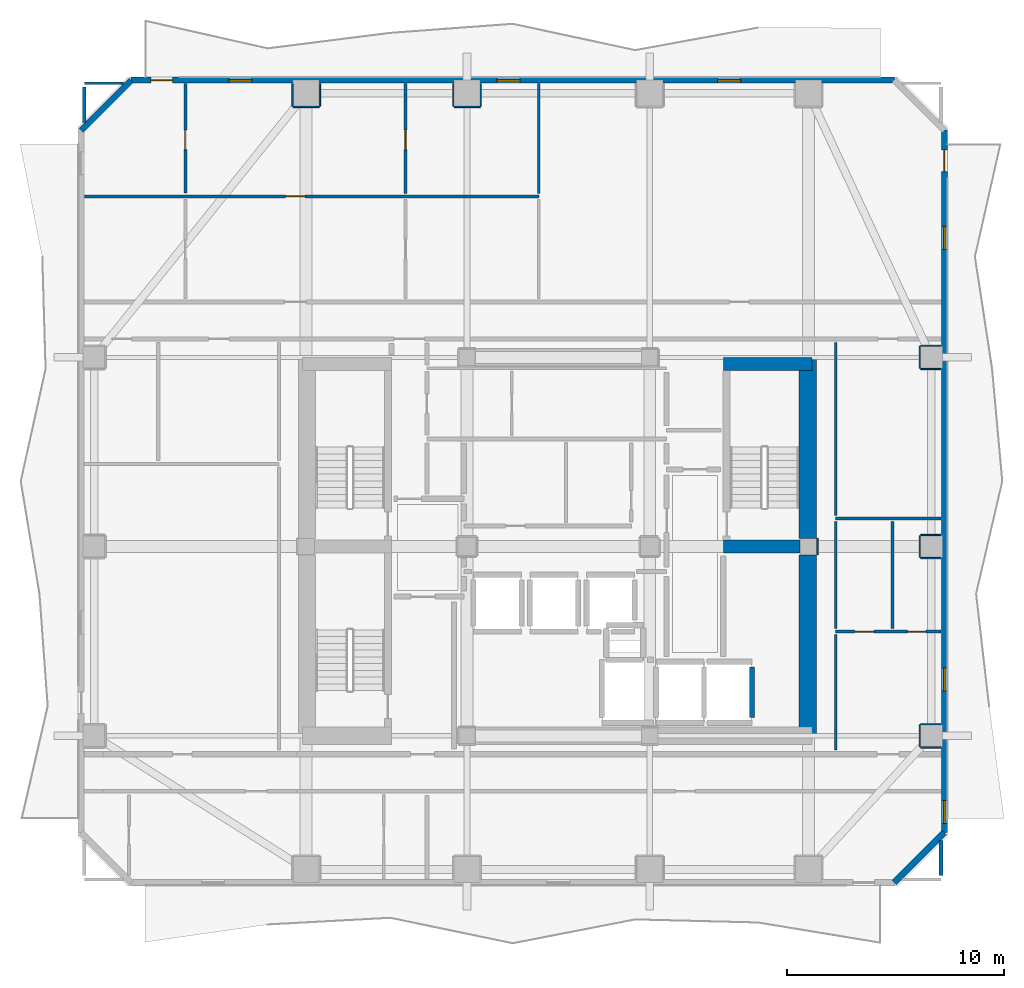
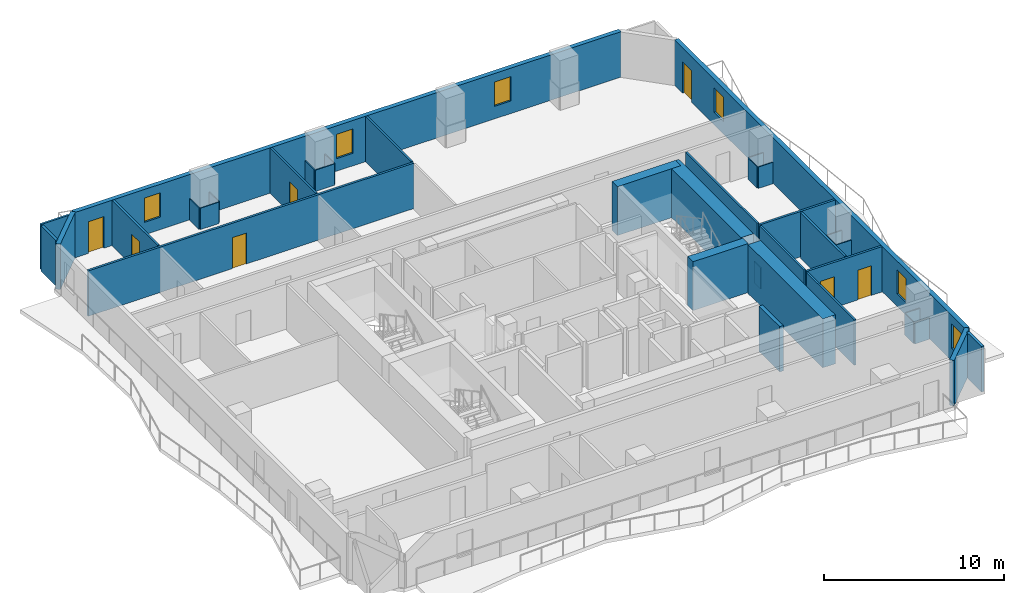
# One storey, part 5 of 10: 38 walls, 7 doors, 6 windows, 13 openings.
"""IFC4 building model written with IfcOpenShell, lengths in metres."""

from ifc_helpers import new_model, si_unit, direction, frame, frame_2d, origin, place, context, subcontext, project, spatial, rectangle, extrude, material, layer, layer_set, type_object, element, fill, save


model = new_model("IFC4")

# Units and contexts
model_context = context("Model", 3, precision=1e-05, world=origin(), true_north=direction((0.0, 1.0)))
body_context = subcontext(model_context, "Body", "Model", "MODEL_VIEW")
ifc_project = project(units=[si_unit("LENGTHUNIT", "METRE"), si_unit("AREAUNIT", "SQUARE_METRE"), si_unit("VOLUMEUNIT", "CUBIC_METRE"), si_unit("PLANEANGLEUNIT", "RADIAN"), si_unit("MASSUNIT", "GRAM", prefix="KILO")], contexts=[model_context])

# Site, building, storey
site_placement = place(None, origin())
site = spatial("IfcSite", under=ifc_project, at=site_placement, CompositionType="ELEMENT")
building_placement = place(site_placement, origin())
building = spatial("IfcBuilding", under=site, at=building_placement, Name="Solanera Arch Residences", CompositionType="ELEMENT")
storey_placement = place(building_placement, frame((0.0, 0.0, 183.52001953125)))
storey = spatial("IfcBuildingStorey", under=building, at=storey_placement, Name="L53", CompositionType="ELEMENT", Elevation=183.52001953125)

# Walls
ifc_material_1 = material(Name="Fire-Rated Gypsum Stud Partition", Category="gypsum")
ifc_layer_1 = layer(ifc_material_1, 0.06005859375)
ifc_layer_set_1 = layer_set([ifc_layer_1], Name="Fire-Rated Gypsum Stud Partition")
wall_type_1 = type_object("IfcWallType", Name="Column Acoustic Furring Wall 60", PredefinedType="PARTITIONING", material=ifc_layer_set_1)
wall_1_placement = place(storey_placement, frame((36.906982421875, 30.324951171875, 0.0), z_axis=(0.0, 0.0, 1.0), x_axis=(0.0, 1.0, 0.0)))
element("IfcWall", 1, at=wall_1_placement, inside=storey, type_object=wall_type_1, Name="L53 Column Furring 6E", PredefinedType="PARTITIONING", context=body_context, shape_type="SweptSolid", body=[
    extrude(rectangle(XDim=0.75, YDim=0.06005859375, at=frame_2d((0.375, 0.0))), origin(), (0.0, 0.0, 1.0), 1.449951171875),
])
wall_2_placement = place(storey_placement, frame((12.800048828125, 50.91796875, 0.0), z_axis=(0.0, 0.0, 1.0), x_axis=(1.0, 0.0, 0.0)))
element("IfcWall", 2, at=wall_2_placement, inside=storey, type_object=wall_type_1, Name="L53 Column Furring 10S", PredefinedType="PARTITIONING", context=body_context, shape_type="SweptSolid", body=[
    extrude(rectangle(XDim=1.199951171875, YDim=0.06005859375, at=frame_2d((0.60009765625, 0.0))), origin(), (0.0, 0.0, 1.0), 1.449951171875),
])
for number, where, z_axis, x_axis, name in (
    (3, (12.76806640625, 50.949951171875, 0.0), (0.0, 0.0, 1.0), (0.0, 1.0, 0.0), "L53 Column Furring 10W"),
    (4, (14.031982421875, 50.949951171875, 0.0), (0.0, 0.0, 1.0), (0.0, 1.0, 0.0), "L53 Column Furring 10E"),
):
    element("IfcWall", number, at=place(storey_placement, frame(where, z_axis=z_axis, x_axis=x_axis)), inside=storey, type_object=wall_type_1, Name=name, PredefinedType="PARTITIONING", context=body_context, shape_type="SweptSolid", body=[
        extrude(rectangle(XDim=1.0400390625, YDim=0.06005859375, at=frame_2d((0.52001953125, 0.0))), origin(), (0.0, 0.0, 1.0), 1.449951171875),
    ])
wall_3_placement = place(storey_placement, frame((20.199951171875, 50.91796875, 0.0), z_axis=(0.0, 0.0, 1.0), x_axis=(1.0, 0.0, 0.0)))
element("IfcWall", 5, at=wall_3_placement, inside=storey, type_object=wall_type_1, Name="L53 Column Furring 12S", PredefinedType="PARTITIONING", context=body_context, shape_type="SweptSolid", body=[
    extrude(rectangle(XDim=1.199951171875, YDim=0.06005859375, at=frame_2d((0.60009765625, 0.0))), origin(), (0.0, 0.0, 1.0), 1.449951171875),
])
for number, where, z_axis, x_axis, name in (
    (6, (20.16796875, 50.949951171875, 0.0), (0.0, 0.0, 1.0), (0.0, 1.0, 0.0), "L53 Column Furring 12W"),
    (7, (21.431884765625, 50.949951171875, 0.0), (0.0, 0.0, 1.0), (0.0, 1.0, 0.0), "L53 Column Furring 12E"),
):
    element("IfcWall", number, at=place(storey_placement, frame(where, z_axis=z_axis, x_axis=x_axis)), inside=storey, type_object=wall_type_1, Name=name, PredefinedType="PARTITIONING", context=body_context, shape_type="SweptSolid", body=[
        extrude(rectangle(XDim=1.0400390625, YDim=0.06005859375, at=frame_2d((0.52001953125, 0.0))), origin(), (0.0, 0.0, 1.0), 1.449951171875),
    ])
for number, where, z_axis, x_axis, name in (
    (8, (41.64990234375, 21.468017578125, 0.0), (0.0, 0.0, 1.0), (1.0, 0.0, 0.0), "L53 Column Furring 18S"),
    (9, (41.64990234375, 22.531982421875, 0.0), (0.0, 0.0, 1.0), (1.0, 0.0, 0.0), "L53 Column Furring 18N"),
):
    element("IfcWall", number, at=place(storey_placement, frame(where, z_axis=z_axis, x_axis=x_axis)), inside=storey, type_object=wall_type_1, Name=name, PredefinedType="PARTITIONING", context=body_context, shape_type="SweptSolid", body=[
        extrude(rectangle(XDim=0.940185546875, YDim=0.06005859375, at=frame_2d((0.47021484375, 0.0))), origin(), (0.0, 0.0, 1.0), 1.449951171875),
    ])
wall_4_placement = place(storey_placement, frame((41.617919921875, 21.5, 0.0), z_axis=(0.0, 0.0, 1.0), x_axis=(0.0, 1.0, 0.0)))
element("IfcWall", 10, at=wall_4_placement, inside=storey, type_object=wall_type_1, Name="L53 Column Furring 18W", PredefinedType="PARTITIONING", context=body_context, shape_type="SweptSolid", body=[
    extrude(rectangle(XDim=1.0, YDim=0.06005859375, at=frame_2d((0.5, 0.0))), origin(), (0.0, 0.0, 1.0), 1.449951171875),
])
for number, where, z_axis, x_axis, name in (
    (11, (41.64990234375, 30.16796875, 0.0), (0.0, 0.0, 1.0), (1.0, 0.0, 0.0), "L53 Column Furring 20S"),
    (12, (41.64990234375, 31.23193359375, 0.0), (0.0, 0.0, 1.0), (1.0, 0.0, 0.0), "L53 Column Furring 20N"),
):
    element("IfcWall", number, at=place(storey_placement, frame(where, z_axis=z_axis, x_axis=x_axis)), inside=storey, type_object=wall_type_1, Name=name, PredefinedType="PARTITIONING", context=body_context, shape_type="SweptSolid", body=[
        extrude(rectangle(XDim=0.940185546875, YDim=0.06005859375, at=frame_2d((0.47021484375, 0.0))), origin(), (0.0, 0.0, 1.0), 1.449951171875),
    ])
wall_5_placement = place(storey_placement, frame((41.617919921875, 30.199951171875, 0.0), z_axis=(0.0, 0.0, 1.0), x_axis=(0.0, 1.0, 0.0)))
element("IfcWall", 13, at=wall_5_placement, inside=storey, type_object=wall_type_1, Name="L53 Column Furring 20W", PredefinedType="PARTITIONING", context=body_context, shape_type="SweptSolid", body=[
    extrude(rectangle(XDim=1.0, YDim=0.06005859375, at=frame_2d((0.5, 0.0))), origin(), (0.0, 0.0, 1.0), 1.449951171875),
])
for number, where, z_axis, x_axis, name in (
    (14, (41.64990234375, 38.867919921875, 0.0), (0.0, 0.0, 1.0), (1.0, 0.0, 0.0), "L53 Column Furring 22S"),
    (15, (41.64990234375, 39.931884765625, 0.0), (0.0, 0.0, 1.0), (1.0, 0.0, 0.0), "L53 Column Furring 22N"),
):
    element("IfcWall", number, at=place(storey_placement, frame(where, z_axis=z_axis, x_axis=x_axis)), inside=storey, type_object=wall_type_1, Name=name, PredefinedType="PARTITIONING", context=body_context, shape_type="SweptSolid", body=[
        extrude(rectangle(XDim=0.940185546875, YDim=0.06005859375, at=frame_2d((0.47021484375, 0.0))), origin(), (0.0, 0.0, 1.0), 1.449951171875),
    ])
wall_6_placement = place(storey_placement, frame((41.617919921875, 38.89990234375, 0.0), z_axis=(0.0, 0.0, 1.0), x_axis=(0.0, 1.0, 0.0)))
element("IfcWall", 16, at=wall_6_placement, inside=storey, type_object=wall_type_1, Name="L53 Column Furring 22W", PredefinedType="PARTITIONING", context=body_context, shape_type="SweptSolid", body=[
    extrude(rectangle(XDim=1.0, YDim=0.06005859375, at=frame_2d((0.5, 0.0))), origin(), (0.0, 0.0, 1.0), 1.449951171875),
])
ifc_material_2 = material(Name="Concrete C40/50 (f'c = 45 MPa)", Category="concrete")
ifc_layer_2 = layer(ifc_material_2, 0.60009765625)
ifc_layer_set_2 = layer_set([ifc_layer_2], Name="Concrete C40/50 (f'c = 45 MPa)")
wall_type_2 = type_object("IfcWallType", Name="Core Shear Wall CW-600", PredefinedType="SHEAR", material=ifc_layer_set_2)
wall_7_placement = place(storey_placement, frame((32.580078125, 39.10009765625, 0.0), z_axis=(0.0, 0.0, 1.0), x_axis=(1.0, 0.0, 0.0)))
element("IfcWall", 17, at=wall_7_placement, inside=storey, type_object=wall_type_2, Name="L53 North-East Core Shear Wall", PredefinedType="SHEAR", context=body_context, shape_type="SweptSolid", body=[
    extrude(rectangle(XDim=4.079833984375, YDim=0.60009765625, at=frame_2d((2.0400390625, 0.0))), origin(), (0.0, 0.0, 1.0), 3.320068359375),
])
wall_8_placement = place(storey_placement, frame((32.580078125, 30.699951171875, 0.0), z_axis=(0.0, 0.0, 1.0), x_axis=(1.0, 0.0, 0.0)))
element("IfcWall", 18, at=wall_8_placement, inside=storey, type_object=wall_type_2, Name="L53 East Stair Far-Landing Shear Wall", PredefinedType="SHEAR", context=body_context, shape_type="SweptSolid", body=[
    extrude(rectangle(XDim=3.5400390625, YDim=0.60009765625, at=frame_2d((1.77001953125, 0.0))), origin(), (0.0, 0.0, 1.0), 3.320068359375),
])
ifc_material_3 = material(Name="Concrete C40/50 (f'c = 45 MPa)", Category="concrete")
ifc_layer_3 = layer(ifc_material_3, 0.800048828125)
ifc_layer_set_3 = layer_set([ifc_layer_3], Name="Concrete C40/50 (f'c = 45 MPa)")
wall_type_3 = type_object("IfcWallType", Name="Core Shear Wall CW-800", PredefinedType="SHEAR", material=ifc_layer_set_3)
wall_9_placement = place(storey_placement, frame((36.4599609375, 22.0, 0.0), z_axis=(0.0, 0.0, 1.0), x_axis=(0.0, 1.0, 0.0)))
element("IfcWall", 19, at=wall_9_placement, inside=storey, type_object=wall_type_3, Name="L53 East Core South Shear Wall", PredefinedType="SHEAR", context=body_context, shape_type="SweptSolid", body=[
    extrude(rectangle(XDim=8.320068359375, YDim=0.800048828125, at=frame_2d((4.16015625, 0.0))), origin(), (0.0, 0.0, 1.0), 3.320068359375),
])
wall_10_placement = place(storey_placement, frame((36.4599609375, 31.080078125, 0.0), z_axis=(0.0, 0.0, 1.0), x_axis=(0.0, 1.0, 0.0)))
element("IfcWall", 20, at=wall_10_placement, inside=storey, type_object=wall_type_3, Name="L53 East Core North Shear Wall", PredefinedType="SHEAR", context=body_context, shape_type="SweptSolid", body=[
    extrude(rectangle(XDim=8.31982421875, YDim=0.800048828125, at=frame_2d((4.159912109375, 0.0))), origin(), (0.0, 0.0, 1.0), 3.320068359375),
])
ifc_material_4 = material(Name="Autoclaved Aerated Concrete Blockwork", Category="masonry")
ifc_layer_4 = layer(ifc_material_4, 0.179931640625)
ifc_layer_set_4 = layer_set([ifc_layer_4], Name="Autoclaved Aerated Concrete Blockwork")
wall_type_4 = type_object("IfcWallType", Name="Corridor Fire Partition 180", PredefinedType="PARTITIONING", material=ifc_layer_set_4)
wall_11_placement = place(storey_placement, frame((3.199951171875, 50.205078125, 0.0), z_axis=(0.0, 0.0, 1.0), x_axis=(0.0, 1.0, 0.0)))
element("IfcWall", 21, at=wall_11_placement, inside=storey, type_object=wall_type_4, Name="L53 Interior Partition V6 2", PredefinedType="PARTITIONING", context=body_context, shape_type="SweptSolid", body=[
    extrude(rectangle(XDim=1.636962890625, YDim=0.179931640625, at=frame_2d((0.818359375, 0.0))), origin(), (0.0, 0.0, 1.0), 3.080078125),
])
wall_12_placement = place(storey_placement, frame((42.60009765625, 15.568115234375, 0.0), z_axis=(0.0, 0.0, 1.0), x_axis=(0.0, 1.0, 0.0)))
element("IfcWall", 22, at=wall_12_placement, inside=storey, type_object=wall_type_4, Name="L53 Interior Partition V10 1", PredefinedType="PARTITIONING", context=body_context, shape_type="SweptSolid", body=[
    extrude(rectangle(XDim=1.626953125, YDim=0.179931640625, at=frame_2d((0.8134765625, 0.0))), origin(), (0.0, 0.0, 1.0), 3.080078125),
])
ifc_material_5 = material(Name="Precast Concrete C35/45", Category="concrete")
ifc_layer_5 = layer(ifc_material_5, 0.280029296875)
ifc_layer_set_5 = layer_set([ifc_layer_5], Name="Precast Concrete C35/45")
wall_type_5 = type_object("IfcWallType", Name="Exterior Wall Precast Masonry-Frame 280", PredefinedType="STANDARD", material=ifc_layer_set_5)
wall_13_placement = place(storey_placement, frame((3.054931640625, 49.844970703125, 0.0), z_axis=(0.0, 0.0, 1.0), x_axis=(0.707106781187, 0.707106781187, 0.0)))
element("IfcWall", 23, at=wall_13_placement, inside=storey, type_object=wall_type_5, Name="L53 Tower Exterior Precast Masonry-Frame Wall CH1", PredefinedType="STANDARD", context=body_context, shape_type="SweptSolid", body=[
    extrude(rectangle(XDim=3.252685546875, YDim=0.280029296875, at=frame_2d((1.62646484375, 0.0))), origin(), (0.0, 0.0, 1.0), 3.080078125),
])

# Wall, openings, door, windows
wall_14_placement = place(storey_placement, frame((5.35498046875, 52.14501953125, 0.0), z_axis=(0.0, 0.0, 1.0), x_axis=(1.0, 0.0, 0.0)))
wall_14 = element("IfcWall", 24, at=wall_14_placement, inside=storey, type_object=wall_type_5, Name="L53 Tower Exterior Precast Masonry-Frame Wall N", PredefinedType="STANDARD", context=body_context, shape_type="SweptSolid", body=[
    extrude(rectangle(XDim=35.090087890625, YDim=0.280029296875, at=frame_2d((17.544921875, 0.0))), origin(), (0.0, 0.0, 1.0), 3.080078125),
])
opening_1_placement = place(wall_14_placement, frame((0.904052734375, 0.0, 0.0)))
opening_1 = element("IfcOpeningElement", 25, at=opening_1_placement, cuts=wall_14, Name="Opening DB-01", PredefinedType="OPENING", context=body_context, shape_type="SweptSolid", body=[
    extrude(rectangle(XDim=1.0, YDim=2.14990234375, at=frame_2d((0.5, 1.074951171875))), frame((0.0, 0.14990234375, 0.0), z_axis=(0.0, -1.0, 0.0), x_axis=(1.0, 0.0, 0.0)), (0.0, 0.0, 1.0), 0.3),
])
opening_2_placement = place(wall_14_placement, frame((4.491943359375, 0.0, 0.85009765625)))
opening_2 = element("IfcOpeningElement", 26, at=opening_2_placement, cuts=wall_14, Name="Opening W-07", PredefinedType="OPENING", context=body_context, shape_type="SweptSolid", body=[
    extrude(rectangle(XDim=1.050048828125, YDim=1.64990234375, at=frame_2d((0.52490234375, 0.824951171875))), frame((0.0, 0.14990234375, 0.0), z_axis=(0.0, -1.0, 0.0), x_axis=(1.0, 0.0, 0.0)), (0.0, 0.0, 1.0), 0.3),
])
opening_3_placement = place(wall_14_placement, frame((16.819091796875, 0.0, 0.85009765625)))
opening_3 = element("IfcOpeningElement", 27, at=opening_3_placement, cuts=wall_14, Name="Opening W-07", PredefinedType="OPENING", context=body_context, shape_type="SweptSolid", body=[
    extrude(rectangle(XDim=1.050048828125, YDim=1.64990234375, at=frame_2d((0.52490234375, 0.824951171875))), frame((0.0, 0.14990234375, 0.0), z_axis=(0.0, -1.0, 0.0), x_axis=(1.0, 0.0, 0.0)), (0.0, 0.0, 1.0), 0.3),
])
opening_4_placement = place(wall_14_placement, frame((26.969970703125, 0.0, 0.85009765625)))
opening_4 = element("IfcOpeningElement", 28, at=opening_4_placement, cuts=wall_14, Name="Opening W-07", PredefinedType="OPENING", context=body_context, shape_type="SweptSolid", body=[
    extrude(rectangle(XDim=1.050048828125, YDim=1.64990234375, at=frame_2d((0.52490234375, 0.824951171875))), frame((0.0, 0.14990234375, 0.0), z_axis=(0.0, -1.0, 0.0), x_axis=(1.0, 0.0, 0.0)), (0.0, 0.0, 1.0), 0.3),
])
ifc_material_6 = material(Name="Anodised Aluminium Alloy 6063-T6", Category="aluminium")
door_type_1 = type_object("IfcDoorType", Name="Glazed Balcony Swing Door DB-01", OperationType="NOTDEFINED", PredefinedType="DOOR", material=ifc_material_6)
door_1_placement = place(opening_1_placement, origin())
door_1 = element("IfcDoor", 29, at=door_1_placement, inside=storey, type_object=door_type_1, Name="DR-L53-OUT-02", OperationType="SINGLE_SWING_RIGHT", OverallHeight=2.14990234375, OverallWidth=1.0, PredefinedType="DOOR", context=body_context, shape_type="SweptSolid", body=[
    extrude(rectangle(XDim=1.0, YDim=2.14990234375, at=frame_2d((0.5, 1.074951171875))), frame((0.0, 0.02490234375, 0.0), z_axis=(0.0, -1.0, 0.0), x_axis=(1.0, 0.0, 0.0)), (0.0, 0.0, 1.0), 0.050048828125),
])
fill(opening_1, door_1)
ifc_material_7 = material(Name="Double Glazed Low-E Laminated Glass", Category="glass")
window_type = type_object("IfcWindowType", Name="Punched Window W-07", PartitioningType="SINGLE_PANEL", PredefinedType="WINDOW", material=ifc_material_7)
window_1_placement = place(opening_2_placement, origin())
window_1 = element("IfcWindow", 30, at=window_1_placement, inside=storey, type_object=window_type, Name="L53 5302-LIV Punched Window", OverallHeight=1.64990234375, OverallWidth=1.050048828125, PartitioningType="SINGLE_PANEL", PredefinedType="WINDOW", context=body_context, shape_type="SweptSolid", body=[
    extrude(rectangle(XDim=1.050048828125, YDim=1.64990234375, at=frame_2d((0.52490234375, 0.824951171875))), frame((0.0, 0.030029296875, 0.0), z_axis=(0.0, -1.0, 0.0), x_axis=(1.0, 0.0, 0.0)), (0.0, 0.0, 1.0), 0.06005859375),
])
fill(opening_2, window_1)
window_2_placement = place(opening_3_placement, origin())
window_2 = element("IfcWindow", 31, at=window_2_placement, inside=storey, type_object=window_type, Name="L53 5302-BR2 Punched Window", OverallHeight=1.64990234375, OverallWidth=1.050048828125, PartitioningType="SINGLE_PANEL", PredefinedType="WINDOW", context=body_context, shape_type="SweptSolid", body=[
    extrude(rectangle(XDim=1.050048828125, YDim=1.64990234375, at=frame_2d((0.52490234375, 0.824951171875))), frame((0.0, 0.030029296875, 0.0), z_axis=(0.0, -1.0, 0.0), x_axis=(1.0, 0.0, 0.0)), (0.0, 0.0, 1.0), 0.06005859375),
])
fill(opening_3, window_2)
window_3_placement = place(opening_4_placement, origin())
window_3 = element("IfcWindow", 32, at=window_3_placement, inside=storey, type_object=window_type, Name="L53 AMN-MTG1 Punched Window", OverallHeight=1.64990234375, OverallWidth=1.050048828125, PartitioningType="SINGLE_PANEL", PredefinedType="WINDOW", context=body_context, shape_type="SweptSolid", body=[
    extrude(rectangle(XDim=1.050048828125, YDim=1.64990234375, at=frame_2d((0.52490234375, 0.824951171875))), frame((0.0, 0.030029296875, 0.0), z_axis=(0.0, -1.0, 0.0), x_axis=(1.0, 0.0, 0.0)), (0.0, 0.0, 1.0), 0.06005859375),
])
fill(opening_4, window_3)

wall_15_placement = place(storey_placement, frame((42.7451171875, 49.844970703125, 0.0), z_axis=(0.0, 0.0, 1.0), x_axis=(0.0, -1.0, 0.0)))
wall_15 = element("IfcWall", 33, at=wall_15_placement, inside=storey, type_object=wall_type_5, Name="L53 Tower Exterior Precast Masonry-Frame Wall E", PredefinedType="STANDARD", context=body_context, shape_type="SweptSolid", body=[
    extrude(rectangle(XDim=32.2900390625, YDim=0.280029296875, at=frame_2d((16.14501953125, 0.0))), origin(), (0.0, 0.0, 1.0), 3.080078125),
])
opening_5_placement = place(wall_15_placement, frame((0.904052734375, 0.0, 0.0)))
opening_5 = element("IfcOpeningElement", 34, at=opening_5_placement, cuts=wall_15, Name="Opening DB-01", PredefinedType="OPENING", context=body_context, shape_type="SweptSolid", body=[
    extrude(rectangle(XDim=1.0, YDim=2.14990234375, at=frame_2d((0.5, 1.074951171875))), frame((0.0, 0.14990234375, 0.0), z_axis=(0.0, -1.0, 0.0), x_axis=(1.0, 0.0, 0.0)), (0.0, 0.0, 1.0), 0.3),
])
opening_6_placement = place(wall_15_placement, frame((30.822021484375, 0.0, 0.85009765625)))
opening_6 = element("IfcOpeningElement", 35, at=opening_6_placement, cuts=wall_15, Name="Opening W-07", PredefinedType="OPENING", context=body_context, shape_type="SweptSolid", body=[
    extrude(rectangle(XDim=1.050048828125, YDim=1.64990234375, at=frame_2d((0.52490234375, 0.824951171875))), frame((0.0, 0.14990234375, 0.0), z_axis=(0.0, -1.0, 0.0), x_axis=(1.0, 0.0, 0.0)), (0.0, 0.0, 1.0), 0.3),
])
opening_7_placement = place(wall_15_placement, frame((4.424072265625, 0.0, 0.85009765625)))
opening_7 = element("IfcOpeningElement", 36, at=opening_7_placement, cuts=wall_15, Name="Opening W-07", PredefinedType="OPENING", context=body_context, shape_type="SweptSolid", body=[
    extrude(rectangle(XDim=1.050048828125, YDim=1.64990234375, at=frame_2d((0.52490234375, 0.824951171875))), frame((0.0, 0.14990234375, 0.0), z_axis=(0.0, -1.0, 0.0), x_axis=(1.0, 0.0, 0.0)), (0.0, 0.0, 1.0), 0.3),
])
opening_8_placement = place(wall_15_placement, frame((24.72412109375, 0.0, 0.85009765625)))
opening_8 = element("IfcOpeningElement", 37, at=opening_8_placement, cuts=wall_15, Name="Opening W-07", PredefinedType="OPENING", context=body_context, shape_type="SweptSolid", body=[
    extrude(rectangle(XDim=1.050048828125, YDim=1.64990234375, at=frame_2d((0.52490234375, 0.824951171875))), frame((0.0, 0.14990234375, 0.0), z_axis=(0.0, -1.0, 0.0), x_axis=(1.0, 0.0, 0.0)), (0.0, 0.0, 1.0), 0.3),
])
door_2_placement = place(opening_5_placement, origin())
door_2 = element("IfcDoor", 38, at=door_2_placement, inside=storey, type_object=door_type_1, Name="DR-L53-OUT-03", OperationType="SINGLE_SWING_LEFT", OverallHeight=2.14990234375, OverallWidth=1.0, PredefinedType="DOOR", context=body_context, shape_type="SweptSolid", body=[
    extrude(rectangle(XDim=1.0, YDim=2.14990234375, at=frame_2d((0.5, 1.074951171875))), frame((0.0, 0.02490234375, 0.0), z_axis=(0.0, -1.0, 0.0), x_axis=(1.0, 0.0, 0.0)), (0.0, 0.0, 1.0), 0.050048828125),
])
fill(opening_5, door_2)
window_4_placement = place(opening_6_placement, origin())
window_4 = element("IfcWindow", 39, at=window_4_placement, inside=storey, type_object=window_type, Name="L53 AMN-LNG Punched Window", OverallHeight=1.64990234375, OverallWidth=1.050048828125, PartitioningType="SINGLE_PANEL", PredefinedType="WINDOW", context=body_context, shape_type="SweptSolid", body=[
    extrude(rectangle(XDim=1.050048828125, YDim=1.64990234375, at=frame_2d((0.52490234375, 0.824951171875))), frame((0.0, 0.030029296875, 0.0), z_axis=(0.0, -1.0, 0.0), x_axis=(1.0, 0.0, 0.0)), (0.0, 0.0, 1.0), 0.06005859375),
])
fill(opening_6, window_4)
window_5_placement = place(opening_7_placement, origin())
window_5 = element("IfcWindow", 40, at=window_5_placement, inside=storey, type_object=window_type, Name="L53 AMN-MTG1 Punched Window", OverallHeight=1.64990234375, OverallWidth=1.050048828125, PartitioningType="SINGLE_PANEL", PredefinedType="WINDOW", context=body_context, shape_type="SweptSolid", body=[
    extrude(rectangle(XDim=1.050048828125, YDim=1.64990234375, at=frame_2d((0.52490234375, 0.824951171875))), frame((0.0, 0.030029296875, 0.0), z_axis=(0.0, -1.0, 0.0), x_axis=(1.0, 0.0, 0.0)), (0.0, 0.0, 1.0), 0.06005859375),
])
fill(opening_7, window_5)
window_6_placement = place(opening_8_placement, origin())
window_6 = element("IfcWindow", 41, at=window_6_placement, inside=storey, type_object=window_type, Name="L53 5303-LIV Punched Window", OverallHeight=1.64990234375, OverallWidth=1.050048828125, PartitioningType="SINGLE_PANEL", PredefinedType="WINDOW", context=body_context, shape_type="SweptSolid", body=[
    extrude(rectangle(XDim=1.050048828125, YDim=1.64990234375, at=frame_2d((0.52490234375, 0.824951171875))), frame((0.0, 0.030029296875, 0.0), z_axis=(0.0, -1.0, 0.0), x_axis=(1.0, 0.0, 0.0)), (0.0, 0.0, 1.0), 0.06005859375),
])
fill(opening_8, window_6)

# Walls
wall_16_placement = place(storey_placement, frame((42.7451171875, 17.554931640625, 0.0), z_axis=(0.0, 0.0, 1.0), x_axis=(-0.707106781187, -0.707106781187, 0.0)))
element("IfcWall", 42, at=wall_16_placement, inside=storey, type_object=wall_type_5, Name="L53 Tower Exterior Precast Masonry-Frame Wall CH5", PredefinedType="STANDARD", context=body_context, shape_type="SweptSolid", body=[
    extrude(rectangle(XDim=3.252685546875, YDim=0.280029296875, at=frame_2d((1.62646484375, 0.0))), origin(), (0.0, 0.0, 1.0), 3.080078125),
])
ifc_material_8 = material(Name="Autoclaved Aerated Concrete Blockwork", Category="masonry")
ifc_layer_6 = layer(ifc_material_8, 0.239990234375)
ifc_layer_set_6 = layer_set([ifc_layer_6], Name="Autoclaved Aerated Concrete Blockwork")
wall_type_6 = type_object("IfcWallType", Name="Shaft Wall Fire-Rated 240", PredefinedType="PARTITIONING", material=ifc_layer_set_6)
wall_17_placement = place(storey_placement, frame((33.89990234375, 22.847900390625, 0.0), z_axis=(0.0, 0.0, 1.0), x_axis=(0.0, 1.0, 0.0)))
element("IfcWall", 43, at=wall_17_placement, inside=storey, type_object=wall_type_6, Name="L53 Lift FFL-2 Hoistway Wall E", PredefinedType="PARTITIONING", context=body_context, shape_type="SweptSolid", body=[
    extrude(rectangle(XDim=2.30419921875, YDim=0.239990234375, at=frame_2d((1.152099609375, 0.0))), origin(), (0.0, 0.0, 1.0), 3.080078125),
])
ifc_material_9 = material(Name="Fire-Rated Gypsum Stud Partition", Category="gypsum")
ifc_layer_7 = layer(ifc_material_9, 0.1201171875)
ifc_layer_set_7 = layer_set([ifc_layer_7], Name="Fire-Rated Gypsum Stud Partition")
wall_type_7 = type_object("IfcWallType", Name="Unit Drywall Partition 120", PredefinedType="PARTITIONING", material=ifc_layer_set_7)
wall_18_placement = place(storey_placement, frame((3.199951171875, 52.0, 0.0), z_axis=(0.0, 0.0, 1.0), x_axis=(1.0, 0.0, 0.0)))
element("IfcWall", 44, at=wall_18_placement, inside=storey, type_object=wall_type_7, Name="L53 Interior Partition H19 1", PredefinedType="PARTITIONING", context=body_context, shape_type="SweptSolid", body=[
    extrude(rectangle(XDim=1.795166015625, YDim=0.1201171875, at=frame_2d((0.8974609375, 0.0))), origin(), (0.0, 0.0, 1.0), 3.080078125),
])

# Wall, opening, door
wall_19_placement = place(storey_placement, frame((17.968017578125, 46.93798828125, 0.0), z_axis=(0.0, 0.0, 1.0), x_axis=(0.0, 1.0, 0.0)))
wall_19 = element("IfcWall", 45, at=wall_19_placement, inside=storey, type_object=wall_type_7, Name="L53 Interior Partition V17 2", PredefinedType="PARTITIONING", context=body_context, shape_type="SweptSolid", body=[
    extrude(rectangle(XDim=5.054931640625, YDim=0.1201171875, at=frame_2d((2.52734375, 0.0))), origin(), (0.0, 0.0, 1.0), 3.080078125),
])
opening_9_placement = place(wall_19_placement, frame((2.011962890625, 0.0, 0.0)))
opening_9 = element("IfcOpeningElement", 46, at=opening_9_placement, cuts=wall_19, Name="Opening DI-03", PredefinedType="OPENING", context=body_context, shape_type="SweptSolid", body=[
    extrude(rectangle(XDim=0.89990234375, YDim=2.10009765625, at=frame_2d((0.449951171875, 1.050048828125))), frame((0.0, 0.070068359375, 0.0), z_axis=(0.0, -1.0, 0.0), x_axis=(1.0, 0.0, 0.0)), (0.0, 0.0, 1.0), 0.1401),
])
ifc_material_10 = material(Name="Fire-Rated Architectural Hardwood", Category="wood")
door_type_2 = type_object("IfcDoorType", Name="Bedroom Swing Door DI-03", OperationType="NOTDEFINED", PredefinedType="DOOR", material=ifc_material_10)
door_3_placement = place(opening_9_placement, origin())
door_3 = element("IfcDoor", 47, at=door_3_placement, inside=storey, type_object=door_type_2, Name="DR-L53-IN-023", OperationType="SINGLE_SWING_RIGHT", OverallHeight=2.10009765625, OverallWidth=0.89990234375, PredefinedType="DOOR", context=body_context, shape_type="SweptSolid", body=[
    extrude(rectangle(XDim=0.89990234375, YDim=2.10009765625, at=frame_2d((0.449951171875, 1.050048828125))), frame((0.0, 0.02490234375, 0.0), z_axis=(0.0, -1.0, 0.0), x_axis=(1.0, 0.0, 0.0)), (0.0, 0.0, 1.0), 0.050048828125),
])
fill(opening_9, door_3)

# Walls
wall_20_placement = place(storey_placement, frame((24.097900390625, 46.93798828125, 0.0), z_axis=(0.0, 0.0, 1.0), x_axis=(0.0, 1.0, 0.0)))
element("IfcWall", 48, at=wall_20_placement, inside=storey, type_object=wall_type_7, Name="L53 Interior Partition V19 2", PredefinedType="PARTITIONING", context=body_context, shape_type="SweptSolid", body=[
    extrude(rectangle(XDim=5.054931640625, YDim=0.1201171875, at=frame_2d((2.52734375, 0.0))), origin(), (0.0, 0.0, 1.0), 3.080078125),
])
wall_21_placement = place(storey_placement, frame((37.75, 21.337890625, 0.0), z_axis=(0.0, 0.0, 1.0), x_axis=(0.0, 1.0, 0.0)))
element("IfcWall", 49, at=wall_21_placement, inside=storey, type_object=wall_type_7, Name="L53 Interior Partition V21 1", PredefinedType="PARTITIONING", context=body_context, shape_type="SweptSolid", body=[
    extrude(rectangle(XDim=5.316162109375, YDim=0.1201171875, at=frame_2d((2.658203125, 0.0))), origin(), (0.0, 0.0, 1.0), 3.080078125),
])
wall_22_placement = place(storey_placement, frame((37.75, 26.929931640625, 0.0), z_axis=(0.0, 0.0, 1.0), x_axis=(0.0, 1.0, 0.0)))
element("IfcWall", 50, at=wall_22_placement, inside=storey, type_object=wall_type_7, Name="L53 Interior Partition V21 2", PredefinedType="PARTITIONING", context=body_context, shape_type="SweptSolid", body=[
    extrude(rectangle(XDim=4.93212890625, YDim=0.1201171875, at=frame_2d((2.466064453125, 0.0))), origin(), (0.0, 0.0, 1.0), 3.080078125),
])
wall_23_placement = place(storey_placement, frame((37.75, 32.137939453125, 0.0), z_axis=(0.0, 0.0, 1.0), x_axis=(0.0, 1.0, 0.0)))
element("IfcWall", 51, at=wall_23_placement, inside=storey, type_object=wall_type_7, Name="L53 Interior Partition V21 3", PredefinedType="PARTITIONING", context=body_context, shape_type="SweptSolid", body=[
    extrude(rectangle(XDim=7.9541015625, YDim=0.1201171875, at=frame_2d((3.97705078125, 0.0))), origin(), (0.0, 0.0, 1.0), 3.080078125),
])

# Wall, openings, doors
ifc_material_11 = material(Name="Autoclaved Aerated Concrete Blockwork", Category="masonry")
ifc_layer_8 = layer(ifc_material_11, 0.139892578125)
ifc_layer_set_8 = layer_set([ifc_layer_8], Name="Autoclaved Aerated Concrete Blockwork")
wall_type_8 = type_object("IfcWallType", Name="Wet-Room Partition 140", PredefinedType="PARTITIONING", material=ifc_layer_set_8)
wall_24_placement = place(storey_placement, frame((37.75, 26.7919921875, 0.0), z_axis=(0.0, 0.0, 1.0), x_axis=(1.0, 0.0, 0.0)))
wall_24 = element("IfcWall", 52, at=wall_24_placement, inside=storey, type_object=wall_type_8, Name="L53 Interior Partition H14", PredefinedType="PARTITIONING", context=body_context, shape_type="SweptSolid", body=[
    extrude(rectangle(XDim=4.843017578125, YDim=0.139892578125, at=frame_2d((2.42138671875, 0.0))), origin(), (0.0, 0.0, 1.0), 3.080078125),
])
opening_10_placement = place(wall_24_placement, frame((0.8720703125, 0.0, 0.0)))
opening_10 = element("IfcOpeningElement", 53, at=opening_10_placement, cuts=wall_24, Name="Opening DI-02", PredefinedType="OPENING", context=body_context, shape_type="SweptSolid", body=[
    extrude(rectangle(XDim=0.89990234375, YDim=2.10009765625, at=frame_2d((0.449951171875, 1.050048828125))), frame((0.0, 0.079833984375, 0.0), z_axis=(0.0, -1.0, 0.0), x_axis=(1.0, 0.0, 0.0)), (0.0, 0.0, 1.0), 0.1599),
])
opening_11_placement = place(wall_24_placement, frame((3.2919921875, 0.0, 0.0)))
opening_11 = element("IfcOpeningElement", 54, at=opening_11_placement, cuts=wall_24, Name="Opening DI-05", PredefinedType="OPENING", context=body_context, shape_type="SweptSolid", body=[
    extrude(rectangle(XDim=0.860107421875, YDim=2.02001953125, at=frame_2d((0.43017578125, 1.010009765625))), frame((0.0, 0.079833984375, 0.0), z_axis=(0.0, -1.0, 0.0), x_axis=(1.0, 0.0, 0.0)), (0.0, 0.0, 1.0), 0.1599),
])
ifc_material_12 = material(Name="Fire-Rated Architectural Hardwood", Category="wood")
door_type_3 = type_object("IfcDoorType", Name="Bathroom Swing Door DI-05", OperationType="NOTDEFINED", PredefinedType="DOOR", material=ifc_material_12)
door_4_placement = place(opening_11_placement, origin())
door_4 = element("IfcDoor", 55, at=door_4_placement, inside=storey, type_object=door_type_3, Name="DR-L53-IN-030", OperationType="SINGLE_SWING_LEFT", OverallHeight=2.02001953125, OverallWidth=0.860107421875, PredefinedType="DOOR", context=body_context, shape_type="SweptSolid", body=[
    extrude(rectangle(XDim=0.860107421875, YDim=2.02001953125, at=frame_2d((0.43017578125, 1.010009765625))), frame((0.0, 0.02490234375, 0.0), z_axis=(0.0, -1.0, 0.0), x_axis=(1.0, 0.0, 0.0)), (0.0, 0.0, 1.0), 0.050048828125),
])
fill(opening_11, door_4)
ifc_material_13 = material(Name="Fire-Rated Architectural Hardwood", Category="wood")
door_type_4 = type_object("IfcDoorType", Name="Suite Room Swing Door DI-02", OperationType="NOTDEFINED", PredefinedType="DOOR", material=ifc_material_13)
door_5_placement = place(opening_10_placement, origin())
door_5 = element("IfcDoor", 56, at=door_5_placement, inside=storey, type_object=door_type_4, Name="DR-L53-IN-029", OperationType="SINGLE_SWING_RIGHT", OverallHeight=2.10009765625, OverallWidth=0.89990234375, PredefinedType="DOOR", context=body_context, shape_type="SweptSolid", body=[
    extrude(rectangle(XDim=0.89990234375, YDim=2.10009765625, at=frame_2d((0.449951171875, 1.050048828125))), frame((0.0, 0.02490234375, 0.0), z_axis=(0.0, -1.0, 0.0), x_axis=(1.0, 0.0, 0.0)), (0.0, 0.0, 1.0), 0.050048828125),
])
fill(opening_10, door_5)

# Wall
wall_25_placement = place(storey_placement, frame((37.75, 32.0, 0.0), z_axis=(0.0, 0.0, 1.0), x_axis=(1.0, 0.0, 0.0)))
element("IfcWall", 57, at=wall_25_placement, inside=storey, type_object=wall_type_8, Name="L53 Interior Partition H15", PredefinedType="PARTITIONING", context=body_context, shape_type="SweptSolid", body=[
    extrude(rectangle(XDim=4.843017578125, YDim=0.139892578125, at=frame_2d((2.42138671875, 0.0))), origin(), (0.0, 0.0, 1.0), 3.080078125),
])

# Wall, opening, door
wall_26_placement = place(storey_placement, frame((3.20703125, 46.800048828125, 0.0), z_axis=(0.0, 0.0, 1.0), x_axis=(1.0, 0.0, 0.0)))
wall_26 = element("IfcWall", 58, at=wall_26_placement, inside=storey, type_object=wall_type_8, Name="L53 Interior Partition H17", PredefinedType="PARTITIONING", context=body_context, shape_type="SweptSolid", body=[
    extrude(rectangle(XDim=20.890869140625, YDim=0.139892578125, at=frame_2d((10.4453125, 0.0))), origin(), (0.0, 0.0, 1.0), 3.080078125),
])
opening_12_placement = place(wall_26_placement, frame((9.2490234375, 0.0, 0.0)))
opening_12 = element("IfcOpeningElement", 59, at=opening_12_placement, cuts=wall_26, Name="Opening DI-02", PredefinedType="OPENING", context=body_context, shape_type="SweptSolid", body=[
    extrude(rectangle(XDim=0.89990234375, YDim=2.10009765625, at=frame_2d((0.449951171875, 1.050048828125))), frame((0.0, 0.079833984375, 0.0), z_axis=(0.0, -1.0, 0.0), x_axis=(1.0, 0.0, 0.0)), (0.0, 0.0, 1.0), 0.1599),
])
door_6_placement = place(opening_12_placement, origin())
door_6 = element("IfcDoor", 60, at=door_6_placement, inside=storey, type_object=door_type_4, Name="DR-L53-IN-019", OperationType="SINGLE_SWING_RIGHT", OverallHeight=2.10009765625, OverallWidth=0.89990234375, PredefinedType="DOOR", context=body_context, shape_type="SweptSolid", body=[
    extrude(rectangle(XDim=0.89990234375, YDim=2.10009765625, at=frame_2d((0.449951171875, 1.050048828125))), frame((0.0, 0.02490234375, 0.0), z_axis=(0.0, -1.0, 0.0), x_axis=(1.0, 0.0, 0.0)), (0.0, 0.0, 1.0), 0.050048828125),
])
fill(opening_12, door_6)

wall_27_placement = place(storey_placement, frame((7.843994140625, 46.947998046875, 0.0), z_axis=(0.0, 0.0, 1.0), x_axis=(0.0, 1.0, 0.0)))
wall_27 = element("IfcWall", 61, at=wall_27_placement, inside=storey, type_object=wall_type_8, Name="L53 Interior Partition V13 2", PredefinedType="PARTITIONING", context=body_context, shape_type="SweptSolid", body=[
    extrude(rectangle(XDim=5.044921875, YDim=0.139892578125, at=frame_2d((2.5224609375, 0.0))), origin(), (0.0, 0.0, 1.0), 3.080078125),
])
opening_13_placement = place(wall_27_placement, frame((2.001953125, 0.0, 0.0)))
opening_13 = element("IfcOpeningElement", 62, at=opening_13_placement, cuts=wall_27, Name="Opening DI-03", PredefinedType="OPENING", context=body_context, shape_type="SweptSolid", body=[
    extrude(rectangle(XDim=0.89990234375, YDim=2.10009765625, at=frame_2d((0.449951171875, 1.050048828125))), frame((0.0, 0.079833984375, 0.0), z_axis=(0.0, -1.0, 0.0), x_axis=(1.0, 0.0, 0.0)), (0.0, 0.0, 1.0), 0.1599),
])
door_7_placement = place(opening_13_placement, origin())
door_7 = element("IfcDoor", 63, at=door_7_placement, inside=storey, type_object=door_type_2, Name="DR-L53-IN-021", OperationType="SINGLE_SWING_RIGHT", OverallHeight=2.10009765625, OverallWidth=0.89990234375, PredefinedType="DOOR", context=body_context, shape_type="SweptSolid", body=[
    extrude(rectangle(XDim=0.89990234375, YDim=2.10009765625, at=frame_2d((0.449951171875, 1.050048828125))), frame((0.0, 0.02490234375, 0.0), z_axis=(0.0, -1.0, 0.0), x_axis=(1.0, 0.0, 0.0)), (0.0, 0.0, 1.0), 0.050048828125),
])
fill(opening_13, door_7)

# Wall
wall_28_placement = place(storey_placement, frame((40.368896484375, 26.93994140625, 0.0), z_axis=(0.0, 0.0, 1.0), x_axis=(0.0, 1.0, 0.0)))
element("IfcWall", 64, at=wall_28_placement, inside=storey, type_object=wall_type_8, Name="L53 Interior Partition V15", PredefinedType="PARTITIONING", context=body_context, shape_type="SweptSolid", body=[
    extrude(rectangle(XDim=4.912109375, YDim=0.139892578125, at=frame_2d((2.4560546875, 0.0))), origin(), (0.0, 0.0, 1.0), 3.080078125),
])

save(model, "model.ifc")
